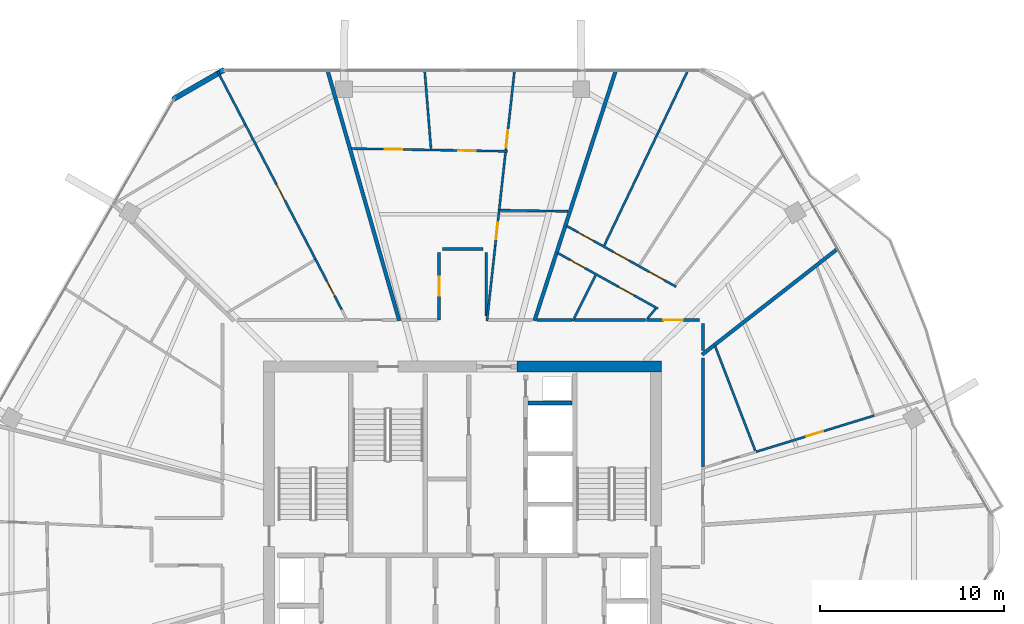
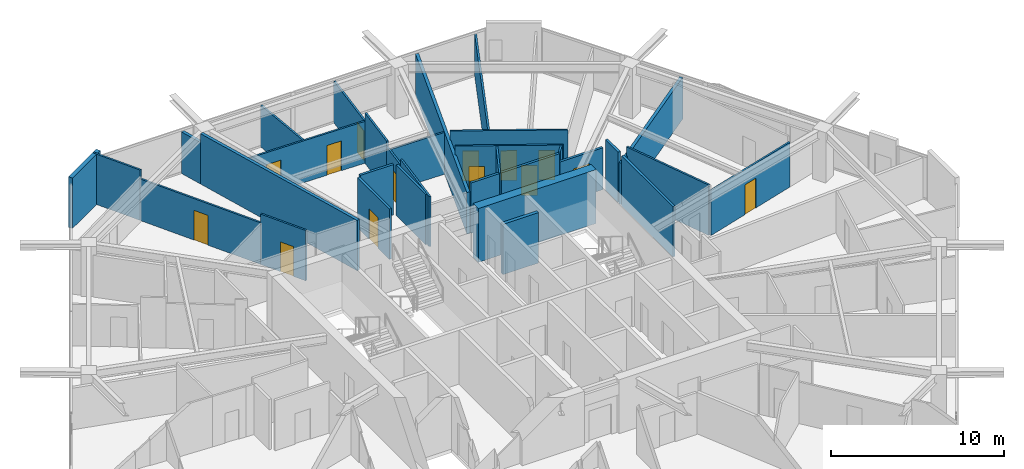
# One storey, part 22 of 26: 32 walls, 14 doors, 14 openings.
"""IFC4 building model written with IfcOpenShell, lengths in metres."""

from ifc_helpers import new_model, si_unit, direction, frame, frame_2d, origin, place, context, subcontext, project, spatial, rectangle, extrude, material, layer, layer_set, type_object, element, fill, save


model = new_model("IFC4")

# Units and contexts
model_context = context("Model", 3, precision=1e-05, world=origin(), true_north=direction((0.0, 1.0)))
body_context = subcontext(model_context, "Body", "Model", "MODEL_VIEW")
ifc_project = project(units=[si_unit("LENGTHUNIT", "METRE"), si_unit("AREAUNIT", "SQUARE_METRE"), si_unit("VOLUMEUNIT", "CUBIC_METRE"), si_unit("PLANEANGLEUNIT", "RADIAN"), si_unit("MASSUNIT", "GRAM", prefix="KILO")], contexts=[model_context])

# Site, building, storey
site_placement = place(None, origin())
site = spatial("IfcSite", under=ifc_project, at=site_placement, CompositionType="ELEMENT")
building_placement = place(site_placement, origin())
building = spatial("IfcBuilding", under=site, at=building_placement, Name="Zuhravey Tower", CompositionType="ELEMENT")
storey_placement = place(building_placement, frame((0.0, 0.0, 250.199951171875)))
storey = spatial("IfcBuildingStorey", under=building, at=storey_placement, Name="L63", CompositionType="ELEMENT", Elevation=250.199951171875)

# Wall
ifc_material_1 = material(Name="Concrete C50/60", Category="concrete")
ifc_layer_1 = layer(ifc_material_1, 0.60009765625)
ifc_layer_set_1 = layer_set([ifc_layer_1], Name="Concrete C50/60")
wall_type_1 = type_object("IfcWallType", Name="Core Shear Wall 600", PredefinedType="SHEAR", material=ifc_layer_set_1)
wall_1_placement = place(storey_placement, frame((46.800048828125, 41.5, 0.0), z_axis=(0.0, 0.0, 1.0), x_axis=(-1.0, 0.0, 0.0)))
element("IfcWall", 1, at=wall_1_placement, inside=storey, type_object=wall_type_1, Name="L63 North-East Core Shear Wall CW60", PredefinedType="SHEAR", context=body_context, shape_type="SweptSolid", body=[
    extrude(rectangle(XDim=7.85009765625, YDim=0.60009765625, at=frame_2d((3.925048828125, 0.0))), origin(), (0.0, 0.0, 1.0), 3.800048828125),
])

# Wall, opening, door
ifc_material_2 = material(Name="Gypsum fire-rated stud partition")
ifc_layer_2 = layer(ifc_material_2, 0.159912109375)
ifc_layer_set_2 = layer_set([ifc_layer_2], Name="Gypsum fire-rated stud partition")
wall_type_2 = type_object("IfcWallType", Name="Corridor Fire Partition 160", PredefinedType="PARTITIONING", material=ifc_layer_set_2)
wall_2_placement = place(storey_placement, frame((48.849365234375, 44.030029296875, 0.0), z_axis=(0.0, 0.0, 1.0), x_axis=(-1.0, 0.0, 0.0)))
wall_2 = element("IfcWall", 2, at=wall_2_placement, inside=storey, type_object=wall_type_2, Name="L63 IW16 Partition 063", PredefinedType="PARTITIONING", context=body_context, shape_type="SweptSolid", body=[
    extrude(rectangle(XDim=2.8642578125, YDim=0.159912109375, at=frame_2d((1.43212890625, 0.0))), origin(), (0.0, 0.0, 1.0), 2.949951171875),
])
opening_1_placement = place(wall_2_placement, frame((0.906982421875, 0.0, 0.0)))
opening_1 = element("IfcOpeningElement", 3, at=opening_1_placement, cuts=wall_2, Name="Opening APD1", PredefinedType="OPENING", context=body_context, shape_type="SweptSolid", body=[
    extrude(rectangle(XDim=1.050048828125, YDim=2.14990234375, at=frame_2d((0.52490234375, 1.074951171875))), frame((0.0, 0.092041015625, 0.0), z_axis=(0.0, -1.0, 0.0), x_axis=(1.0, 0.0, 0.0)), (0.0, 0.0, 1.0), 0.183837890625),
])
ifc_material_3 = material(Name="Solid-core oak fire-rated leaf")
door_type_1 = type_object("IfcDoorType", Name="Apartment Entrance Fire Door 1050x2150", OperationType="NOTDEFINED", PredefinedType="DOOR", material=ifc_material_3)
door_1_placement = place(opening_1_placement, frame((1.050048828125, 0.0, 0.0), z_axis=(0.0, 0.0, 1.0), x_axis=(-1.0, 0.0, 0.0)))
door_1 = element("IfcDoor", 4, at=door_1_placement, inside=storey, type_object=door_type_1, Name="L63 Door 063.1", OperationType="SINGLE_SWING_LEFT", OverallHeight=2.14990234375, OverallWidth=1.050048828125, PredefinedType="DOOR", context=body_context, shape_type="SweptSolid", body=[
    extrude(rectangle(XDim=1.050048828125, YDim=2.14990234375, at=frame_2d((0.52490234375, 1.074951171875))), frame((0.0, 0.02490234375, 0.0), z_axis=(0.0, -1.0, 0.0), x_axis=(1.0, 0.0, 0.0)), (0.0, 0.0, 1.0), 0.050048828125),
])
fill(opening_1, door_1)

wall_3_placement = place(storey_placement, frame((34.719970703125, 47.699951171875, 0.0), z_axis=(0.0, 0.0, 1.0), x_axis=(0.0, -1.0, 0.0)))
wall_3 = element("IfcWall", 5, at=wall_3_placement, inside=storey, type_object=wall_type_2, Name="L63 IW16 Partition 068", PredefinedType="PARTITIONING", context=body_context, shape_type="SweptSolid", body=[
    extrude(rectangle(XDim=3.669921875, YDim=0.159912109375, at=frame_2d((1.8349609375, 0.0))), origin(), (0.0, 0.0, 1.0), 3.550048828125),
])
opening_2_placement = place(wall_3_placement, frame((1.31005859375, 0.0, 0.0)))
opening_2 = element("IfcOpeningElement", 6, at=opening_2_placement, cuts=wall_3, Name="Opening APD1", PredefinedType="OPENING", context=body_context, shape_type="SweptSolid", body=[
    extrude(rectangle(XDim=1.050048828125, YDim=2.14990234375, at=frame_2d((0.52490234375, 1.074951171875))), frame((0.0, 0.092041015625, 0.0), z_axis=(0.0, -1.0, 0.0), x_axis=(1.0, 0.0, 0.0)), (0.0, 0.0, 1.0), 0.183837890625),
])
door_2_placement = place(opening_2_placement, frame((1.050048828125, 0.0, 0.0), z_axis=(0.0, 0.0, 1.0), x_axis=(-1.0, 0.0, 0.0)))
door_2 = element("IfcDoor", 7, at=door_2_placement, inside=storey, type_object=door_type_1, Name="L63 Door 068.1", OperationType="SINGLE_SWING_RIGHT", OverallHeight=2.14990234375, OverallWidth=1.050048828125, PredefinedType="DOOR", context=body_context, shape_type="SweptSolid", body=[
    extrude(rectangle(XDim=1.050048828125, YDim=2.14990234375, at=frame_2d((0.52490234375, 1.074951171875))), frame((0.0, 0.02490234375, 0.0), z_axis=(0.0, -1.0, 0.0), x_axis=(1.0, 0.0, 0.0)), (0.0, 0.0, 1.0), 0.050048828125),
])
fill(opening_2, door_2)

# Walls
wall_4_placement = place(storey_placement, frame((49.030029296875, 36.064697265625, 0.0), z_axis=(0.0, 0.0, 1.0), x_axis=(0.0, 1.0, 0.0)))
element("IfcWall", 8, at=wall_4_placement, inside=storey, type_object=wall_type_2, Name="L63 IW16 Partition 139", PredefinedType="PARTITIONING", context=body_context, shape_type="SweptSolid", body=[
    extrude(rectangle(XDim=5.908447265625, YDim=0.159912109375, at=frame_2d((2.9541015625, 0.0))), origin(), (0.0, 0.0, 1.0), 3.550048828125),
])
wall_5_placement = place(storey_placement, frame((49.030029296875, 42.39013671875, 0.0), z_axis=(0.0, 0.0, 1.0), x_axis=(0.0, 1.0, 0.0)))
element("IfcWall", 9, at=wall_5_placement, inside=storey, type_object=wall_type_2, Name="L63 IW16 Partition 140", PredefinedType="PARTITIONING", context=body_context, shape_type="SweptSolid", body=[
    extrude(rectangle(XDim=1.459228515625, YDim=0.159912109375, at=frame_2d((0.7294921875, 0.0))), origin(), (0.0, 0.0, 1.0), 3.550048828125),
])
wall_6_placement = place(storey_placement, frame((45.93310546875, 44.030029296875, 0.0), z_axis=(0.0, 0.0, 1.0), x_axis=(-1.0, 0.0, 0.0)))
element("IfcWall", 10, at=wall_6_placement, inside=storey, type_object=wall_type_2, Name="L63 IW16 Partition 141", PredefinedType="PARTITIONING", context=body_context, shape_type="SweptSolid", body=[
    extrude(rectangle(XDim=3.852294921875, YDim=0.159912109375, at=frame_2d((1.92626953125, 0.0))), origin(), (0.0, 0.0, 1.0), 3.550048828125),
])
wall_7_placement = place(storey_placement, frame((41.9287109375, 44.030029296875, 0.0), z_axis=(0.0, 0.0, 1.0), x_axis=(-1.0, 0.0, 0.0)))
element("IfcWall", 11, at=wall_7_placement, inside=storey, type_object=wall_type_2, Name="L63 IW16 Partition 142", PredefinedType="PARTITIONING", context=body_context, shape_type="SweptSolid", body=[
    extrude(rectangle(XDim=1.88232421875, YDim=0.159912109375, at=frame_2d((0.941162109375, 0.0))), origin(), (0.0, 0.0, 1.0), 3.550048828125),
])
wall_8_placement = place(storey_placement, frame((37.280029296875, 44.25341796875, 0.0), z_axis=(0.0, 0.0, 1.0), x_axis=(0.0, 1.0, 0.0)))
element("IfcWall", 12, at=wall_8_placement, inside=storey, type_object=wall_type_2, Name="L63 IW16 Partition 143", PredefinedType="PARTITIONING", context=body_context, shape_type="SweptSolid", body=[
    extrude(rectangle(XDim=3.446533203125, YDim=0.159912109375, at=frame_2d((1.72314453125, 0.0))), origin(), (0.0, 0.0, 1.0), 3.550048828125),
])
wall_9_placement = place(storey_placement, frame((37.10009765625, 47.8798828125, 0.0), z_axis=(0.0, 0.0, 1.0), x_axis=(-1.0, 0.0, 0.0)))
element("IfcWall", 13, at=wall_9_placement, inside=storey, type_object=wall_type_2, Name="L63 IW16 Partition 144", PredefinedType="PARTITIONING", context=body_context, shape_type="SweptSolid", body=[
    extrude(rectangle(XDim=2.2001953125, YDim=0.159912109375, at=frame_2d((1.10009765625, 0.0))), origin(), (0.0, 0.0, 1.0), 3.550048828125),
])
ifc_material_4 = material(Name="Precast concrete C40/50", Category="concrete")
ifc_layer_3 = layer(ifc_material_4, 0.280029296875)
ifc_layer_set_3 = layer_set([ifc_layer_3], Name="Precast concrete C40/50")
wall_type_3 = type_object("IfcWallType", Name="Crown Architectural Wall 280", PredefinedType="SOLIDWALL", material=ifc_layer_set_3)
wall_10_placement = place(storey_placement, frame((20.285400390625, 56.003662109375, 0.0), z_axis=(0.0, 0.0, 1.0), x_axis=(0.866028773314, 0.499994163758, 0.0)))
element("IfcWall", 14, at=wall_10_placement, inside=storey, type_object=wall_type_3, Name="L63 Rounded Corner Closure Wall EW28-08", PredefinedType="SOLIDWALL", context=body_context, shape_type="SweptSolid", body=[
    extrude(rectangle(XDim=3.21484375, YDim=0.280029296875, at=frame_2d((1.607421875, 0.0))), origin(), (0.0, 0.0, 1.0), 3.550048828125),
])
ifc_material_5 = material(Name="Gypsum double-stud party assembly")
ifc_layer_4 = layer(ifc_material_5, 0.199951171875)
ifc_layer_set_4 = layer_set([ifc_layer_4], Name="Gypsum double-stud party assembly")
wall_type_4 = type_object("IfcWallType", Name="Inter-Tenancy Party Wall 200", PredefinedType="PARTITIONING", material=ifc_layer_set_4)
wall_11_placement = place(storey_placement, frame((32.56201171875, 43.989990234375, 0.0), z_axis=(0.0, 0.0, 1.0), x_axis=(-0.275638433315, 0.96126138697, 0.0)))
element("IfcWall", 15, at=wall_11_placement, inside=storey, type_object=wall_type_4, Name="L63 IW20 Partition 073", PredefinedType="PARTITIONING", context=body_context, shape_type="SweptSolid", body=[
    extrude(rectangle(XDim=12.582763671875, YDim=0.199951171875, at=frame_2d((6.29150390625, 0.0))), origin(), (0.0, 0.0, 1.0), 3.550048828125),
])
wall_12_placement = place(storey_placement, frame((29.089111328125, 56.101318359375, 0.0), z_axis=(0.0, 0.0, 1.0), x_axis=(-0.27554766027, 0.961287411194, 0.0)))
element("IfcWall", 16, at=wall_12_placement, inside=storey, type_object=wall_type_4, Name="L63 IW20 Partition 074", PredefinedType="PARTITIONING", context=body_context, shape_type="SweptSolid", body=[
    extrude(rectangle(XDim=1.521240234375, YDim=0.199951171875, at=frame_2d((0.7607421875, 0.0))), origin(), (0.0, 0.0, 1.0), 2.929931640625),
])
wall_13_placement = place(storey_placement, frame((48.989990234375, 42.14892578125, 0.0), z_axis=(0.0, 0.0, 1.0), x_axis=(0.788003348051, 0.615670953887, 0.0)))
element("IfcWall", 17, at=wall_13_placement, inside=storey, type_object=wall_type_4, Name="L63 IW20 Partition 112", PredefinedType="PARTITIONING", context=body_context, shape_type="SweptSolid", body=[
    extrude(rectangle(XDim=9.330322265625, YDim=0.199951171875, at=frame_2d((4.6650390625, 0.0))), origin(), (0.0, 0.0, 1.0), 2.929931640625),
])
wall_14_placement = place(storey_placement, frame((39.895751953125, 43.989990234375, 0.0), z_axis=(0.0, 0.0, 1.0), x_axis=(0.309018769513, 0.951055939516, 0.0)))
element("IfcWall", 18, at=wall_14_placement, inside=storey, type_object=wall_type_4, Name="L63 IW20 Partition 118", PredefinedType="PARTITIONING", context=body_context, shape_type="SweptSolid", body=[
    extrude(rectangle(XDim=14.272216796875, YDim=0.199951171875, at=frame_2d((7.13623046875, 0.0))), origin(), (0.0, 0.0, 1.0), 2.929931640625),
])
ifc_material_6 = material(Name="Gypsum acoustic stud assembly")
ifc_layer_5 = layer(ifc_material_6, 0.219970703125)
ifc_layer_set_5 = layer_set([ifc_layer_5], Name="Gypsum acoustic stud assembly")
wall_type_5 = type_object("IfcWallType", Name="School Acoustic Compartment Wall 220", PredefinedType="PARTITIONING", material=ifc_layer_set_5)
wall_15_placement = place(storey_placement, frame((39.55810546875, 39.52490234375, 0.0), z_axis=(0.0, 0.0, 1.0), x_axis=(1.0, 0.0, 0.0)))
element("IfcWall", 19, at=wall_15_placement, inside=storey, type_object=wall_type_5, Name="L63 IW22 Partition 072", PredefinedType="PARTITIONING", context=body_context, shape_type="SweptSolid", body=[
    extrude(rectangle(XDim=2.3837890625, YDim=0.219970703125, at=frame_2d((1.19189453125, 0.0))), origin(), (0.0, 0.0, 1.0), 3.550048828125),
])

# Wall, opening, door
ifc_material_7 = material(Name="Gypsum metal-stud partition")
ifc_layer_6 = layer(ifc_material_7, 0.1201171875)
ifc_layer_set_6 = layer_set([ifc_layer_6], Name="Gypsum metal-stud partition")
wall_type_6 = type_object("IfcWallType", Name="Unit Internal Partition 120", PredefinedType="PARTITIONING", material=ifc_layer_set_6)
wall_16_placement = place(storey_placement, frame((29.435302734375, 44.60009765625, 0.0), z_axis=(0.0, 0.0, 1.0), x_axis=(-0.462075917285, 0.886840372708, 0.0)))
wall_16 = element("IfcWall", 20, at=wall_16_placement, inside=storey, type_object=wall_type_6, Name="L63 IW12 Partition 021", PredefinedType="PARTITIONING", context=body_context, shape_type="SweptSolid", body=[
    extrude(rectangle(XDim=3.081787109375, YDim=0.1201171875, at=frame_2d((1.541015625, 0.0))), origin(), (0.0, 0.0, 1.0), 3.550048828125),
])
opening_3_placement = place(wall_16_placement, frame((0.844482421875, 0.0, 0.0)))
opening_3 = element("IfcOpeningElement", 21, at=opening_3_placement, cuts=wall_16, Name="Opening WCD1", PredefinedType="OPENING", context=body_context, shape_type="SweptSolid", body=[
    extrude(rectangle(XDim=0.89990234375, YDim=2.10009765625, at=frame_2d((0.449951171875, 1.050048828125))), frame((0.0, 0.072021484375, 0.0), z_axis=(0.0, -1.0, 0.0), x_axis=(1.0, 0.0, 0.0)), (0.0, 0.0, 1.0), 0.14404296875),
])
ifc_material_8 = material(Name="Moisture-resistant timber leaf", Category="wood")
door_type_2 = type_object("IfcDoorType", Name="Bathroom & WC Internal Door 900x2100", OperationType="NOTDEFINED", PredefinedType="DOOR", material=ifc_material_8)
door_3_placement = place(opening_3_placement, origin())
door_3 = element("IfcDoor", 22, at=door_3_placement, inside=storey, type_object=door_type_2, Name="Apartment L63-01 Bathroom Door", OperationType="SINGLE_SWING_RIGHT", OverallHeight=2.10009765625, OverallWidth=0.89990234375, PredefinedType="DOOR", context=body_context, shape_type="SweptSolid", body=[
    extrude(rectangle(XDim=0.89990234375, YDim=2.10009765625, at=frame_2d((0.449951171875, 1.050048828125))), frame((0.0, 0.02490234375, 0.0), z_axis=(0.0, -1.0, 0.0), x_axis=(1.0, 0.0, 0.0)), (0.0, 0.0, 1.0), 0.050048828125),
])
fill(opening_3, door_3)

wall_17_placement = place(storey_placement, frame((28.01123046875, 47.333251953125, 0.0), z_axis=(0.0, 0.0, 1.0), x_axis=(-0.46205322058, 0.886852198143, 0.0)))
wall_17 = element("IfcWall", 23, at=wall_17_placement, inside=storey, type_object=wall_type_6, Name="L63 IW12 Partition 022", PredefinedType="PARTITIONING", context=body_context, shape_type="SweptSolid", body=[
    extrude(rectangle(XDim=8.250732421875, YDim=0.1201171875, at=frame_2d((4.12548828125, 0.0))), origin(), (0.0, 0.0, 1.0), 2.929931640625),
])
opening_4_placement = place(wall_17_placement, frame((3.625244140625, 0.0, 0.0)))
opening_4 = element("IfcOpeningElement", 24, at=opening_4_placement, cuts=wall_17, Name="Opening IND1", PredefinedType="OPENING", context=body_context, shape_type="SweptSolid", body=[
    extrude(rectangle(XDim=0.949951171875, YDim=2.10009765625, at=frame_2d((0.47509765625, 1.050048828125))), frame((0.0, 0.072021484375, 0.0), z_axis=(0.0, -1.0, 0.0), x_axis=(1.0, 0.0, 0.0)), (0.0, 0.0, 1.0), 0.14404296875),
])
ifc_material_9 = material(Name="Painted engineered timber leaf", Category="wood")
door_type_3 = type_object("IfcDoorType", Name="Internal Room & Bedroom Door 950x2100", OperationType="NOTDEFINED", PredefinedType="DOOR", material=ifc_material_9)
door_4_placement = place(opening_4_placement, origin())
door_4 = element("IfcDoor", 25, at=door_4_placement, inside=storey, type_object=door_type_3, Name="Apartment L63-01 Home Office Door", OperationType="SINGLE_SWING_LEFT", OverallHeight=2.10009765625, OverallWidth=0.949951171875, PredefinedType="DOOR", context=body_context, shape_type="SweptSolid", body=[
    extrude(rectangle(XDim=0.949951171875, YDim=2.10009765625, at=frame_2d((0.47509765625, 1.050048828125))), frame((0.0, 0.02490234375, 0.0), z_axis=(0.0, -1.0, 0.0), x_axis=(1.0, 0.0, 0.0)), (0.0, 0.0, 1.0), 0.050048828125),
])
fill(opening_4, door_4)

wall_18_placement = place(storey_placement, frame((51.926025390625, 36.881103515625, 0.0), z_axis=(0.0, 0.0, 1.0), x_axis=(0.956092574373, 0.293064820866, 0.0)))
wall_18 = element("IfcWall", 26, at=wall_18_placement, inside=storey, type_object=wall_type_6, Name="L63 IW12 Partition 058", PredefinedType="PARTITIONING", context=body_context, shape_type="SweptSolid", body=[
    extrude(rectangle(XDim=6.705322265625, YDim=0.1201171875, at=frame_2d((3.3525390625, 0.0))), origin(), (0.0, 0.0, 1.0), 3.150146484375),
])
opening_5_placement = place(wall_18_placement, frame((2.852783203125, 0.0, 0.0)))
opening_5 = element("IfcOpeningElement", 27, at=opening_5_placement, cuts=wall_18, Name="Opening IND1", PredefinedType="OPENING", context=body_context, shape_type="SweptSolid", body=[
    extrude(rectangle(XDim=0.949951171875, YDim=2.10009765625, at=frame_2d((0.47509765625, 1.050048828125))), frame((0.0, 0.072021484375, 0.0), z_axis=(0.0, -1.0, 0.0), x_axis=(1.0, 0.0, 0.0)), (0.0, 0.0, 1.0), 0.14404296875),
])
door_5_placement = place(opening_5_placement, origin())
door_5 = element("IfcDoor", 28, at=door_5_placement, inside=storey, type_object=door_type_3, Name="Apartment L63-09 Home Office Door", OperationType="SINGLE_SWING_LEFT", OverallHeight=2.10009765625, OverallWidth=0.949951171875, PredefinedType="DOOR", context=body_context, shape_type="SweptSolid", body=[
    extrude(rectangle(XDim=0.949951171875, YDim=2.10009765625, at=frame_2d((0.47509765625, 1.050048828125))), frame((0.0, 0.02490234375, 0.0), z_axis=(0.0, -1.0, 0.0), x_axis=(1.0, 0.0, 0.0)), (0.0, 0.0, 1.0), 0.050048828125),
])
fill(opening_5, door_5)

# Wall, openings, doors
wall_19_placement = place(storey_placement, frame((46.597412109375, 44.644287109375, 0.0), z_axis=(0.0, 0.0, 1.0), x_axis=(-0.874105625874, 0.48573588998, 0.0)))
wall_19 = element("IfcWall", 29, at=wall_19_placement, inside=storey, type_object=wall_type_6, Name="L63 IW12 Partition 061", PredefinedType="PARTITIONING", context=body_context, shape_type="SweptSolid", body=[
    extrude(rectangle(XDim=6.24365234375, YDim=0.1201171875, at=frame_2d((3.121826171875, 0.0))), origin(), (0.0, 0.0, 1.0), 3.550048828125),
])
opening_6_placement = place(wall_19_placement, frame((1.4951171875, 0.0, 0.0)))
opening_6 = element("IfcOpeningElement", 30, at=opening_6_placement, cuts=wall_19, Name="Opening IND1", PredefinedType="OPENING", context=body_context, shape_type="SweptSolid", body=[
    extrude(rectangle(XDim=0.949951171875, YDim=2.10009765625, at=frame_2d((0.47509765625, 1.050048828125))), frame((0.0, 0.072021484375, 0.0), z_axis=(0.0, -1.0, 0.0), x_axis=(1.0, 0.0, 0.0)), (0.0, 0.0, 1.0), 0.14404296875),
])
opening_7_placement = place(wall_19_placement, frame((4.540283203125, 0.0, 0.0)))
opening_7 = element("IfcOpeningElement", 31, at=opening_7_placement, cuts=wall_19, Name="Opening WCD1", PredefinedType="OPENING", context=body_context, shape_type="SweptSolid", body=[
    extrude(rectangle(XDim=0.89990234375, YDim=2.10009765625, at=frame_2d((0.449951171875, 1.050048828125))), frame((0.0, 0.072021484375, 0.0), z_axis=(0.0, -1.0, 0.0), x_axis=(1.0, 0.0, 0.0)), (0.0, 0.0, 1.0), 0.14404296875),
])
door_6_placement = place(opening_7_placement, origin())
door_6 = element("IfcDoor", 32, at=door_6_placement, inside=storey, type_object=door_type_2, Name="Apartment L63-10 Bathroom Door", OperationType="SINGLE_SWING_LEFT", OverallHeight=2.10009765625, OverallWidth=0.89990234375, PredefinedType="DOOR", context=body_context, shape_type="SweptSolid", body=[
    extrude(rectangle(XDim=0.89990234375, YDim=2.10009765625, at=frame_2d((0.449951171875, 1.050048828125))), frame((0.0, 0.02490234375, 0.0), z_axis=(0.0, -1.0, 0.0), x_axis=(1.0, 0.0, 0.0)), (0.0, 0.0, 1.0), 0.050048828125),
])
fill(opening_7, door_6)
door_7_placement = place(opening_6_placement, origin())
door_7 = element("IfcDoor", 33, at=door_7_placement, inside=storey, type_object=door_type_3, Name="Apartment L63-10 Kitchen Door", OperationType="SINGLE_SWING_RIGHT", OverallHeight=2.10009765625, OverallWidth=0.949951171875, PredefinedType="DOOR", context=body_context, shape_type="SweptSolid", body=[
    extrude(rectangle(XDim=0.949951171875, YDim=2.10009765625, at=frame_2d((0.47509765625, 1.050048828125))), frame((0.0, 0.02490234375, 0.0), z_axis=(0.0, -1.0, 0.0), x_axis=(1.0, 0.0, 0.0)), (0.0, 0.0, 1.0), 0.050048828125),
])
fill(opening_6, door_7)

wall_20_placement = place(storey_placement, frame((47.58349609375, 45.835205078125, 0.0), z_axis=(0.0, 0.0, 1.0), x_axis=(-0.874098085508, 0.485749458993, 0.0)))
wall_20 = element("IfcWall", 34, at=wall_20_placement, inside=storey, type_object=wall_type_6, Name="L63 IW12 Partition 062", PredefinedType="PARTITIONING", context=body_context, shape_type="SweptSolid", body=[
    extrude(rectangle(XDim=6.810302734375, YDim=0.1201171875, at=frame_2d((3.4052734375, 0.0))), origin(), (0.0, 0.0, 1.0), 3.550048828125),
])
opening_8_placement = place(wall_20_placement, frame((0.732421875, 0.0, 0.0)))
opening_8 = element("IfcOpeningElement", 35, at=opening_8_placement, cuts=wall_20, Name="Opening IND1", PredefinedType="OPENING", context=body_context, shape_type="SweptSolid", body=[
    extrude(rectangle(XDim=0.949951171875, YDim=2.10009765625, at=frame_2d((0.47509765625, 1.050048828125))), frame((0.0, 0.072021484375, 0.0), z_axis=(0.0, -1.0, 0.0), x_axis=(1.0, 0.0, 0.0)), (0.0, 0.0, 1.0), 0.14404296875),
])
opening_9_placement = place(wall_20_placement, frame((2.93017578125, 0.0, 0.0)))
opening_9 = element("IfcOpeningElement", 36, at=opening_9_placement, cuts=wall_20, Name="Opening IND1", PredefinedType="OPENING", context=body_context, shape_type="SweptSolid", body=[
    extrude(rectangle(XDim=0.949951171875, YDim=2.10009765625, at=frame_2d((0.47509765625, 1.050048828125))), frame((0.0, 0.072021484375, 0.0), z_axis=(0.0, -1.0, 0.0), x_axis=(1.0, 0.0, 0.0)), (0.0, 0.0, 1.0), 0.14404296875),
])
opening_10_placement = place(wall_20_placement, frame((5.127685546875, 0.0, 0.0)))
opening_10 = element("IfcOpeningElement", 37, at=opening_10_placement, cuts=wall_20, Name="Opening IND1", PredefinedType="OPENING", context=body_context, shape_type="SweptSolid", body=[
    extrude(rectangle(XDim=0.949951171875, YDim=2.10009765625, at=frame_2d((0.47509765625, 1.050048828125))), frame((0.0, 0.072021484375, 0.0), z_axis=(0.0, -1.0, 0.0), x_axis=(1.0, 0.0, 0.0)), (0.0, 0.0, 1.0), 0.14404296875),
])
door_8_placement = place(opening_8_placement, frame((0.949951171875, 0.0, 0.0), z_axis=(0.0, 0.0, 1.0), x_axis=(-1.0, 0.0, 0.0)))
door_8 = element("IfcDoor", 38, at=door_8_placement, inside=storey, type_object=door_type_3, Name="Apartment L63-10 Bedroom 1 Door", OperationType="SINGLE_SWING_RIGHT", OverallHeight=2.10009765625, OverallWidth=0.949951171875, PredefinedType="DOOR", context=body_context, shape_type="SweptSolid", body=[
    extrude(rectangle(XDim=0.949951171875, YDim=2.10009765625, at=frame_2d((0.47509765625, 1.050048828125))), frame((0.0, 0.02490234375, 0.0), z_axis=(0.0, -1.0, 0.0), x_axis=(1.0, 0.0, 0.0)), (0.0, 0.0, 1.0), 0.050048828125),
])
fill(opening_8, door_8)
door_9_placement = place(opening_9_placement, frame((0.949951171875, 0.0, 0.0), z_axis=(0.0, 0.0, 1.0), x_axis=(-1.0, 0.0, 0.0)))
door_9 = element("IfcDoor", 39, at=door_9_placement, inside=storey, type_object=door_type_3, Name="Apartment L63-10 Bedroom 2 Door", OperationType="SINGLE_SWING_LEFT", OverallHeight=2.10009765625, OverallWidth=0.949951171875, PredefinedType="DOOR", context=body_context, shape_type="SweptSolid", body=[
    extrude(rectangle(XDim=0.949951171875, YDim=2.10009765625, at=frame_2d((0.47509765625, 1.050048828125))), frame((0.0, 0.02490234375, 0.0), z_axis=(0.0, -1.0, 0.0), x_axis=(1.0, 0.0, 0.0)), (0.0, 0.0, 1.0), 0.050048828125),
])
fill(opening_9, door_9)
door_10_placement = place(opening_10_placement, frame((0.949951171875, 0.0, 0.0), z_axis=(0.0, 0.0, 1.0), x_axis=(-1.0, 0.0, 0.0)))
door_10 = element("IfcDoor", 40, at=door_10_placement, inside=storey, type_object=door_type_3, Name="Apartment L63-10 Bedroom 3 Door", OperationType="SINGLE_SWING_RIGHT", OverallHeight=2.10009765625, OverallWidth=0.949951171875, PredefinedType="DOOR", context=body_context, shape_type="SweptSolid", body=[
    extrude(rectangle(XDim=0.949951171875, YDim=2.10009765625, at=frame_2d((0.47509765625, 1.050048828125))), frame((0.0, 0.02490234375, 0.0), z_axis=(0.0, -1.0, 0.0), x_axis=(1.0, 0.0, 0.0)), (0.0, 0.0, 1.0), 0.050048828125),
])
fill(opening_10, door_10)

wall_21_placement = place(storey_placement, frame((38.431884765625, 53.185302734375, 0.0), z_axis=(0.0, 0.0, 1.0), x_axis=(-0.999847834671, 0.017444411801, 0.0)))
wall_21 = element("IfcWall", 41, at=wall_21_placement, inside=storey, type_object=wall_type_6, Name="L63 IW12 Partition 064", PredefinedType="PARTITIONING", context=body_context, shape_type="SweptSolid", body=[
    extrude(rectangle(XDim=8.453125, YDim=0.1201171875, at=frame_2d((4.2265625, 0.0))), origin(), (0.0, 0.0, 1.0), 2.949951171875),
])
opening_11_placement = place(wall_21_placement, frame((1.718994140625, 0.0, 0.0)))
opening_11 = element("IfcOpeningElement", 42, at=opening_11_placement, cuts=wall_21, Name="Opening IND1", PredefinedType="OPENING", context=body_context, shape_type="SweptSolid", body=[
    extrude(rectangle(XDim=0.949951171875, YDim=2.10009765625, at=frame_2d((0.47509765625, 1.050048828125))), frame((0.0, 0.072021484375, 0.0), z_axis=(0.0, -1.0, 0.0), x_axis=(1.0, 0.0, 0.0)), (0.0, 0.0, 1.0), 0.14404296875),
])
opening_12_placement = place(wall_21_placement, frame((5.705078125, 0.0, 0.0)))
opening_12 = element("IfcOpeningElement", 43, at=opening_12_placement, cuts=wall_21, Name="Opening IND1", PredefinedType="OPENING", context=body_context, shape_type="SweptSolid", body=[
    extrude(rectangle(XDim=0.949951171875, YDim=2.10009765625, at=frame_2d((0.47509765625, 1.050048828125))), frame((0.0, 0.072021484375, 0.0), z_axis=(0.0, -1.0, 0.0), x_axis=(1.0, 0.0, 0.0)), (0.0, 0.0, 1.0), 0.14404296875),
])
door_11_placement = place(opening_11_placement, frame((0.949951171875, 0.0, 0.0), z_axis=(0.0, 0.0, 1.0), x_axis=(-1.0, 0.0, 0.0)))
door_11 = element("IfcDoor", 44, at=door_11_placement, inside=storey, type_object=door_type_3, Name="Apartment L63-11 Family Study Door", OperationType="SINGLE_SWING_RIGHT", OverallHeight=2.10009765625, OverallWidth=0.949951171875, PredefinedType="DOOR", context=body_context, shape_type="SweptSolid", body=[
    extrude(rectangle(XDim=0.949951171875, YDim=2.10009765625, at=frame_2d((0.47509765625, 1.050048828125))), frame((0.0, 0.02490234375, 0.0), z_axis=(0.0, -1.0, 0.0), x_axis=(1.0, 0.0, 0.0)), (0.0, 0.0, 1.0), 0.050048828125),
])
fill(opening_11, door_11)
door_12_placement = place(opening_12_placement, frame((0.949951171875, 0.0, 0.0), z_axis=(0.0, 0.0, 1.0), x_axis=(-1.0, 0.0, 0.0)))
door_12 = element("IfcDoor", 45, at=door_12_placement, inside=storey, type_object=door_type_3, Name="Apartment L63-11 Dining Room Door", OperationType="SINGLE_SWING_LEFT", OverallHeight=2.10009765625, OverallWidth=0.949951171875, PredefinedType="DOOR", context=body_context, shape_type="SweptSolid", body=[
    extrude(rectangle(XDim=0.949951171875, YDim=2.10009765625, at=frame_2d((0.47509765625, 1.050048828125))), frame((0.0, 0.02490234375, 0.0), z_axis=(0.0, -1.0, 0.0), x_axis=(1.0, 0.0, 0.0)), (0.0, 0.0, 1.0), 0.050048828125),
])
fill(opening_12, door_12)

# Wall, opening, door
wall_22_placement = place(storey_placement, frame((37.765625, 48.044677734375, 0.0), z_axis=(0.0, 0.0, 1.0), x_axis=(0.109378163954, 0.994000209884, 0.0)))
wall_22 = element("IfcWall", 46, at=wall_22_placement, inside=storey, type_object=wall_type_6, Name="L63 IW12 Partition 065", PredefinedType="PARTITIONING", context=body_context, shape_type="SweptSolid", body=[
    extrude(rectangle(XDim=1.984375, YDim=0.1201171875, at=frame_2d((0.9921875, 0.0))), origin(), (0.0, 0.0, 1.0), 3.150146484375),
])
opening_13_placement = place(wall_22_placement, frame((0.38330078125, 0.0, 0.0)))
opening_13 = element("IfcOpeningElement", 47, at=opening_13_placement, cuts=wall_22, Name="Opening WCD1", PredefinedType="OPENING", context=body_context, shape_type="SweptSolid", body=[
    extrude(rectangle(XDim=0.89990234375, YDim=2.10009765625, at=frame_2d((0.449951171875, 1.050048828125))), frame((0.0, 0.072021484375, 0.0), z_axis=(0.0, -1.0, 0.0), x_axis=(1.0, 0.0, 0.0)), (0.0, 0.0, 1.0), 0.14404296875),
])
door_13_placement = place(opening_13_placement, frame((0.89990234375, 0.0, 0.0), z_axis=(0.0, 0.0, 1.0), x_axis=(-1.0, 0.0, 0.0)))
door_13 = element("IfcDoor", 48, at=door_13_placement, inside=storey, type_object=door_type_2, Name="Apartment L63-11 Bathroom Door", OperationType="SINGLE_SWING_RIGHT", OverallHeight=2.10009765625, OverallWidth=0.89990234375, PredefinedType="DOOR", context=body_context, shape_type="SweptSolid", body=[
    extrude(rectangle(XDim=0.89990234375, YDim=2.10009765625, at=frame_2d((0.449951171875, 1.050048828125))), frame((0.0, 0.02490234375, 0.0), z_axis=(0.0, -1.0, 0.0), x_axis=(1.0, 0.0, 0.0)), (0.0, 0.0, 1.0), 0.050048828125),
])
fill(opening_13, door_13)

# Wall
wall_23_placement = place(storey_placement, frame((37.98291015625, 50.01708984375, 0.0), z_axis=(0.0, 0.0, 1.0), x_axis=(0.109366759617, 0.994001464733, 0.0)))
element("IfcWall", 49, at=wall_23_placement, inside=storey, type_object=wall_type_6, Name="L63 IW12 Partition 066", PredefinedType="PARTITIONING", context=body_context, shape_type="SweptSolid", body=[
    extrude(rectangle(XDim=3.120849609375, YDim=0.1201171875, at=frame_2d((1.560546875, 0.0))), origin(), (0.0, 0.0, 1.0), 3.550048828125),
])

# Wall, opening, door
wall_24_placement = place(storey_placement, frame((38.339111328125, 53.2548828125, 0.0), z_axis=(0.0, 0.0, 1.0), x_axis=(0.109363268669, 0.994001848824, 0.0)))
wall_24 = element("IfcWall", 50, at=wall_24_placement, inside=storey, type_object=wall_type_6, Name="L63 IW12 Partition 067", PredefinedType="PARTITIONING", context=body_context, shape_type="SweptSolid", body=[
    extrude(rectangle(XDim=4.33984375, YDim=0.1201171875, at=frame_2d((2.169921875, 0.0))), origin(), (0.0, 0.0, 1.0), 2.929931640625),
])
opening_14_placement = place(wall_24_placement, frame((0.139892578125, 0.0, 0.0)))
opening_14 = element("IfcOpeningElement", 51, at=opening_14_placement, cuts=wall_24, Name="Opening IND1", PredefinedType="OPENING", context=body_context, shape_type="SweptSolid", body=[
    extrude(rectangle(XDim=0.949951171875, YDim=2.10009765625, at=frame_2d((0.47509765625, 1.050048828125))), frame((0.0, 0.072021484375, 0.0), z_axis=(0.0, -1.0, 0.0), x_axis=(1.0, 0.0, 0.0)), (0.0, 0.0, 1.0), 0.14404296875),
])
door_14_placement = place(opening_14_placement, frame((0.949951171875, 0.0, 0.0), z_axis=(0.0, 0.0, 1.0), x_axis=(-1.0, 0.0, 0.0)))
door_14 = element("IfcDoor", 52, at=door_14_placement, inside=storey, type_object=door_type_3, Name="Apartment L63-11 Bedroom 1 Door", OperationType="SINGLE_SWING_LEFT", OverallHeight=2.10009765625, OverallWidth=0.949951171875, PredefinedType="DOOR", context=body_context, shape_type="SweptSolid", body=[
    extrude(rectangle(XDim=0.949951171875, YDim=2.10009765625, at=frame_2d((0.47509765625, 1.050048828125))), frame((0.0, 0.02490234375, 0.0), z_axis=(0.0, -1.0, 0.0), x_axis=(1.0, 0.0, 0.0)), (0.0, 0.0, 1.0), 0.050048828125),
])
fill(opening_14, door_14)

# Walls
wall_25_placement = place(storey_placement, frame((24.198974609375, 54.650390625, 0.0), z_axis=(0.0, 0.0, 1.0), x_axis=(-0.462045585495, 0.886856176009, 0.0)))
element("IfcWall", 53, at=wall_25_placement, inside=storey, type_object=wall_type_6, Name="L63 IW12 Partition 076", PredefinedType="PARTITIONING", context=body_context, shape_type="SweptSolid", body=[
    extrude(rectangle(XDim=3.239013671875, YDim=0.1201171875, at=frame_2d((1.61962890625, 0.0))), origin(), (0.0, 0.0, 1.0), 3.550048828125),
])
wall_26_placement = place(storey_placement, frame((51.877685546875, 36.9375, 0.0), z_axis=(0.0, 0.0, 1.0), x_axis=(-0.358346020199, 0.933588844089, 0.0)))
element("IfcWall", 54, at=wall_26_placement, inside=storey, type_object=wall_type_6, Name="L63 IW12 Partition 111", PredefinedType="PARTITIONING", context=body_context, shape_type="SweptSolid", body=[
    extrude(rectangle(XDim=6.099609375, YDim=0.1201171875, at=frame_2d((3.0498046875, 0.0))), origin(), (0.0, 0.0, 1.0), 3.550048828125),
])
wall_27_placement = place(storey_placement, frame((41.979736328125, 43.97998046875, 0.0), z_axis=(0.0, 0.0, 1.0), x_axis=(0.446611639488, 0.894727915891, 0.0)))
element("IfcWall", 55, at=wall_27_placement, inside=storey, type_object=wall_type_6, Name="L63 IW12 Partition 113", PredefinedType="PARTITIONING", context=body_context, shape_type="SweptSolid", body=[
    extrude(rectangle(XDim=2.75830078125, YDim=0.1201171875, at=frame_2d((1.379150390625, 0.0))), origin(), (0.0, 0.0, 1.0), 3.550048828125),
])
wall_28_placement = place(storey_placement, frame((43.68359375, 48.080078125, 0.0), z_axis=(0.0, 0.0, 1.0), x_axis=(0.431150039007, 0.902280246855, 0.0)))
element("IfcWall", 56, at=wall_28_placement, inside=storey, type_object=wall_type_6, Name="L63 IW12 Partition 115", PredefinedType="PARTITIONING", context=body_context, shape_type="SweptSolid", body=[
    extrude(rectangle(XDim=10.521484375, YDim=0.1201171875, at=frame_2d((5.2607421875, 0.0))), origin(), (0.0, 0.0, 1.0), 2.929931640625),
])
wall_29_placement = place(storey_placement, frame((46.031982421875, 44.117919921875, 0.0), z_axis=(0.0, 0.0, 1.0), x_axis=(0.637773938941, 0.770223605719, 0.0)))
element("IfcWall", 57, at=wall_29_placement, inside=storey, type_object=wall_type_6, Name="L63 IW12 Partition 116", PredefinedType="PARTITIONING", context=body_context, shape_type="SweptSolid", body=[
    extrude(rectangle(XDim=0.67822265625, YDim=0.1201171875, at=frame_2d((0.339111328125, 0.0))), origin(), (0.0, 0.0, 1.0), 3.550048828125),
])
wall_30_placement = place(storey_placement, frame((34.280517578125, 53.32568359375, 0.0), z_axis=(0.0, 0.0, 1.0), x_axis=(-0.080397895883, 0.996762849597, 0.0)))
element("IfcWall", 58, at=wall_30_placement, inside=storey, type_object=wall_type_6, Name="L63 IW12 Partition 119", PredefinedType="PARTITIONING", context=body_context, shape_type="SweptSolid", body=[
    extrude(rectangle(XDim=4.28173828125, YDim=0.1201171875, at=frame_2d((2.140869140625, 0.0))), origin(), (0.0, 0.0, 1.0), 2.929931640625),
])
wall_31_placement = place(storey_placement, frame((37.31884765625, 43.985107421875, 0.0), z_axis=(0.0, 0.0, 1.0), x_axis=(0.109394817792, 0.993998377182, 0.0)))
element("IfcWall", 59, at=wall_31_placement, inside=storey, type_object=wall_type_6, Name="L63 IW12 Partition 120", PredefinedType="PARTITIONING", context=body_context, shape_type="SweptSolid", body=[
    extrude(rectangle(XDim=4.083984375, YDim=0.1201171875, at=frame_2d((2.0419921875, 0.0))), origin(), (0.0, 0.0, 1.0), 3.550048828125),
])
wall_32_placement = place(storey_placement, frame((41.711181640625, 49.927001953125, 0.0), z_axis=(0.0, 0.0, 1.0), x_axis=(-0.999847573959, 0.017459348466, 0.0)))
element("IfcWall", 60, at=wall_32_placement, inside=storey, type_object=wall_type_6, Name="L63 IW12 Partition 121", PredefinedType="PARTITIONING", context=body_context, shape_type="SweptSolid", body=[
    extrude(rectangle(XDim=3.66357421875, YDim=0.1201171875, at=frame_2d((1.831787109375, 0.0))), origin(), (0.0, 0.0, 1.0), 2.949951171875),
])

save(model, "model.ifc")
